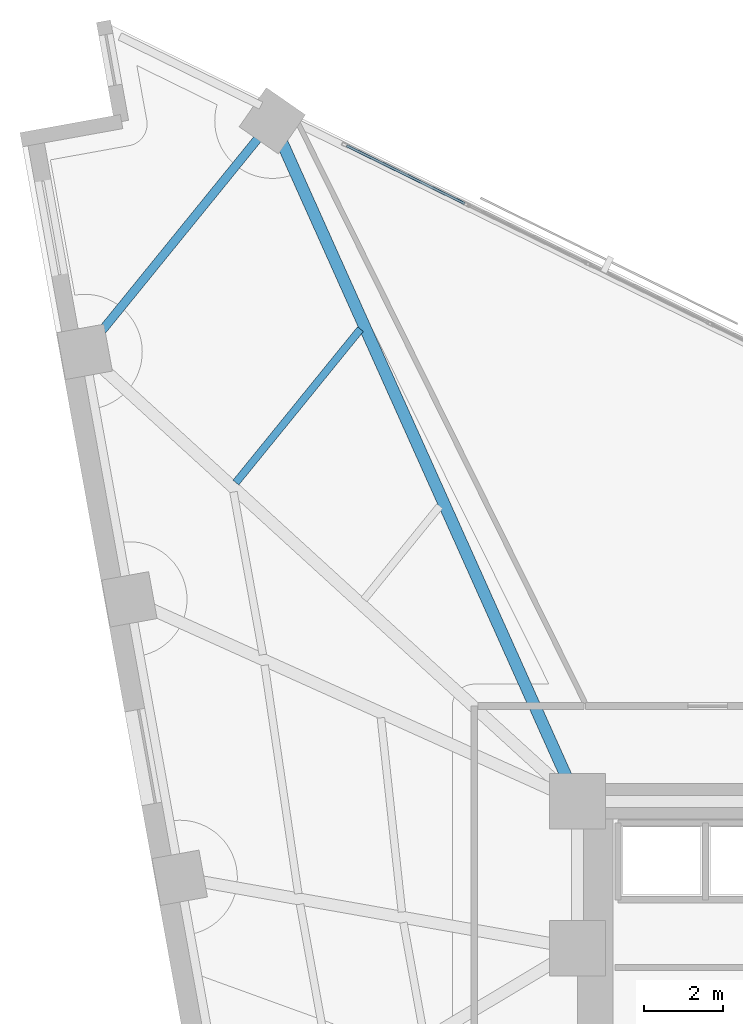
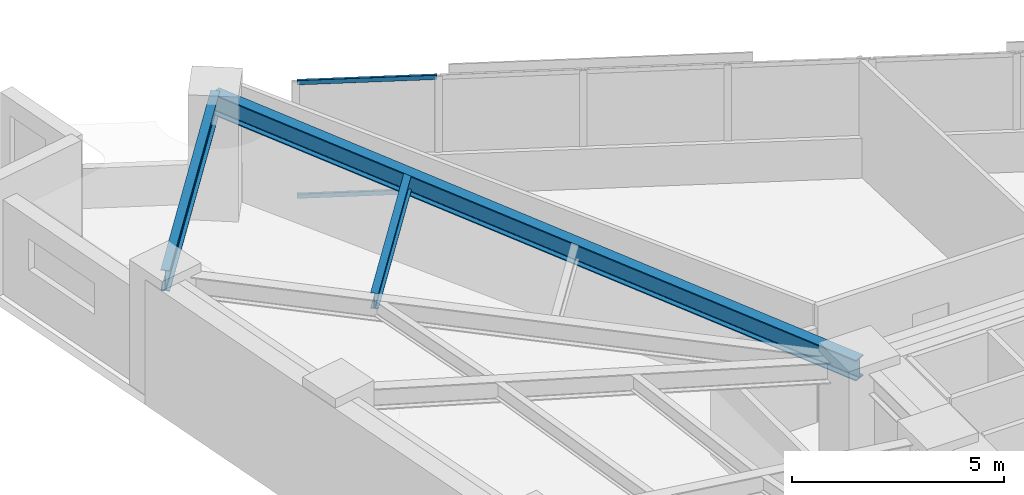
# One storey, part 9 of 18: 3 beams, 2 members, 1 element without a shape of its own.
"""IFC4 building model written with IfcOpenShell, lengths in metres."""

import ifcopenshell
import ifcopenshell.guid

model = None  # the IFC model being written
_history = None  # IfcOwnerHistory: only IFC2X3 demands one
_inside = {}  # id of a spatial element -> (the spatial element, [elements in it])
_under = {}  # id of a project, library or spatial element -> (it, [spatial elements below it])
_declared = {}  # id of a project -> (the project, [libraries it declares])
_typed = {}  # id of a type object -> (the type object, [elements of that type])
_made_of = {}  # id of a material, layer set ... -> (it, [elements and type objects made of it])


def new_model(schema):
    """Start an empty IFC model of exactly this schema.

    Asked for "IFC4X3", IfcOpenShell would pick the latest addendum, in which some entities
    have other attributes; the version numbers below select the first issue.
    IFC2X3 requires an IfcOwnerHistory on every rooted entity: one is made here for all.
    """
    global model, _history
    if schema == "IFC4X3":
        model = ifcopenshell.file(schema_version=(4, 3, 0, 0))
    else:
        model = ifcopenshell.file(schema=schema)
    _inside.clear()
    _under.clear()
    _declared.clear()
    _typed.clear()
    _made_of.clear()
    _history = None
    if model.schema == "IFC2X3":
        org = make("IfcOrganization", Name="unknown")
        user = make(
            "IfcPersonAndOrganization",
            ThePerson=make("IfcPerson", FamilyName="unknown"),
            TheOrganization=org,
        )
        app = make(
            "IfcApplication",
            ApplicationDeveloper=org,
            Version="unknown",
            ApplicationFullName="unknown",
            ApplicationIdentifier="unknown",
        )
        _history = make(
            "IfcOwnerHistory",
            OwningUser=user,
            OwningApplication=app,
            ChangeAction="ADDED",
            CreationDate=0,
        )
    return model


def make(cls, **values):
    """One entity of the class cls with the attributes given. An attribute that is None is left unset."""
    return model.create_entity(
        cls, **{name: value for name, value in values.items() if value is not None}
    )


def rooted(cls, **values):
    """An entity with a GlobalId (a new one), such as an element, a storey or a relation."""
    return make(cls, GlobalId=ifcopenshell.guid.new(), OwnerHistory=_history, **values)


def si_unit(unit_type, name, prefix=None):
    """IfcSIUnit, for example si_unit("LENGTHUNIT", "METRE", prefix="MILLI")."""
    return make("IfcSIUnit", UnitType=unit_type, Prefix=prefix, Name=name)


def assignment(units):
    """IfcUnitAssignment: the units of a project."""
    return None if units is None else make("IfcUnitAssignment", Units=units)


def point(xyz):
    """IfcCartesianPoint."""
    return None if xyz is None else make("IfcCartesianPoint", Coordinates=xyz)


def direction(xyz):
    """IfcDirection."""
    return None if xyz is None else make("IfcDirection", DirectionRatios=xyz)


def frame(location, z_axis=None, x_axis=None):
    """IfcAxis2Placement3D, a coordinate frame: its origin and axes. An axis left out is left unset."""
    return make(
        "IfcAxis2Placement3D",
        Location=point(location),
        Axis=direction(z_axis),
        RefDirection=direction(x_axis),
    )


def frame_2d(location, x_axis=None):
    """IfcAxis2Placement2D, a coordinate frame in the plane: its origin and x axis."""
    return make(
        "IfcAxis2Placement2D", Location=point(location), RefDirection=direction(x_axis)
    )


def origin():
    """The frame at (0, 0, 0) with its axes left unset."""
    return frame((0.0, 0.0, 0.0))


def origin_2d():
    """The frame at (0, 0) in the plane with its x axis left unset."""
    return frame_2d((0.0, 0.0))


def place(relative_to, where):
    """IfcLocalPlacement: puts the frame where relative to a parent placement (None: the world)."""
    return make(
        "IfcLocalPlacement", PlacementRelTo=relative_to, RelativePlacement=where
    )


def context(
    kind, dimensions, precision=None, world=None, true_north=None, identifier=None
):
    """IfcGeometricRepresentationContext, for example the 3D "Model" context."""
    return make(
        "IfcGeometricRepresentationContext",
        ContextIdentifier=identifier,
        ContextType=kind,
        CoordinateSpaceDimension=dimensions,
        Precision=precision,
        WorldCoordinateSystem=world,
        TrueNorth=true_north,
    )


def subcontext(parent, identifier, kind, view, scale=None):
    """IfcGeometricRepresentationSubContext, for example "Body" below "Model"."""
    return make(
        "IfcGeometricRepresentationSubContext",
        ContextIdentifier=identifier,
        ContextType=kind,
        ParentContext=parent,
        TargetScale=scale,
        TargetView=view,
    )


def project(units=None, contexts=None):
    """IfcProject with its units and contexts."""
    return rooted(
        "IfcProject",
        Name="project",
        RepresentationContexts=contexts,
        UnitsInContext=assignment(units),
    )


def spatial(cls, under=None, at=None, **own):
    """A site, building, storey or space (cls), placed at a placement, below another one or the project."""
    s = rooted(cls, ObjectPlacement=at, **own)
    if under is not None:
        _under.setdefault(under.id(), (under, []))[1].append(s)
    return s


def profile(cls, at=None, kind="AREA", **sizes):
    """A parametric profile (cls). Its sizes go by their IFC names, for example OverallWidth=200.0."""
    return make(cls, ProfileType=kind, Position=at, **sizes)


def hollow_rectangle(**sizes):
    """IfcRectangleHollowProfileDef."""
    return profile("IfcRectangleHollowProfileDef", **sizes)


def i_section(**sizes):
    """IfcIShapeProfileDef."""
    return profile("IfcIShapeProfileDef", **sizes)


def extrude(swept, where, along, depth):
    """IfcExtrudedAreaSolid: the profile swept, set in the frame where, extruded along a direction by depth."""
    return make(
        "IfcExtrudedAreaSolid",
        SweptArea=swept,
        Position=where,
        ExtrudedDirection=direction(along),
        Depth=depth,
    )


def shape(context_of_items, identifier, shape_type, items):
    """IfcShapeRepresentation: the items that make up one representation, for example the "Body"."""
    return make(
        "IfcShapeRepresentation",
        ContextOfItems=context_of_items,
        RepresentationIdentifier=identifier,
        RepresentationType=shape_type,
        Items=items,
    )


def material(Name=None, Category=None):
    """IfcMaterial."""
    return make("IfcMaterial", Name=Name, Category=Category)


def material_profile(
    of_material, cross_section, Name=None, Category=None, Priority=None
):
    """IfcMaterialProfile: a cross section and its material."""
    return make(
        "IfcMaterialProfile",
        Name=Name,
        Material=of_material,
        Profile=cross_section,
        Priority=Priority,
        Category=Category,
    )


def profile_set(profiles, Name=None, composite=None):
    """IfcMaterialProfileSet."""
    return make(
        "IfcMaterialProfileSet",
        Name=Name,
        MaterialProfiles=profiles,
        CompositeProfile=composite,
    )


def made_of(thing, what):
    """Note that an element or type object is made of a material, layer set ...; save() writes the relation."""
    if what is not None:
        _made_of.setdefault(what.id(), (what, []))[1].append(thing)
    return thing


def type_object(cls, material=None, **own):
    """A type object (cls), such as IfcWallType, which elements share."""
    return made_of(rooted(cls, **own), material)


def element(
    cls,
    number,
    at=None,
    inside=None,
    cuts=None,
    type_object=None,
    material=None,
    context=None,
    identifier="Body",
    shape_type=None,
    held_by="IfcProductDefinitionShape",
    body=None,
    shapes=None,
    **own,
):
    """One element of the class cls, such as IfcWall. Its Tag is "e" and its number.

    at: its placement. inside: the storey or other place that contains it. cuts: it is an
    opening in that element (IfcRelVoidsElement). A single representation is given by context,
    identifier, shape_type and body (its items); several are given by shapes. held_by: the class
    of the entity that holds the representations. save() writes the other relations.
    """
    e = rooted(cls, Tag="e%d" % number, ObjectPlacement=at, **own)
    if body is not None:
        shapes = [shape(context, identifier, shape_type, body)]
    if shapes is not None:
        e.Representation = make(held_by, Representations=shapes)
    if inside is not None:
        _inside.setdefault(inside.id(), (inside, []))[1].append(e)
    if cuts is not None:
        rooted(
            "IfcRelVoidsElement", RelatingBuildingElement=cuts, RelatedOpeningElement=e
        )
    if type_object is not None:
        _typed.setdefault(type_object.id(), (type_object, []))[1].append(e)
    return made_of(e, material)


def aggregate(whole, parts):
    """IfcRelAggregates: a whole, such as a stair, and the parts it consists of."""
    return rooted("IfcRelAggregates", RelatingObject=whole, RelatedObjects=parts)


def save(model, path):
    """Write the relations noted so far, then the file.

    IfcRelAggregates (storeys below a building ...), IfcRelContainedInSpatialStructure (elements
    in a storey), IfcRelDefinesByType, IfcRelAssociatesMaterial and IfcRelDeclares: one each for
    every whole, place, type object, material and project.
    """
    for whole, parts in _under.values():
        aggregate(whole, parts)
    for where, things in _inside.values():
        rooted(
            "IfcRelContainedInSpatialStructure",
            RelatedElements=things,
            RelatingStructure=where,
        )
    for kind, things in _typed.values():
        rooted("IfcRelDefinesByType", RelatedObjects=things, RelatingType=kind)
    for what, things in _made_of.values():
        rooted("IfcRelAssociatesMaterial", RelatedObjects=things, RelatingMaterial=what)
    for by, libraries in _declared.values():
        rooted("IfcRelDeclares", RelatingContext=by, RelatedDefinitions=libraries)
    model.write(path)


model = new_model("IFC4")

# Units and contexts
model_context = context("Model", 3, precision=1e-05, world=origin(), true_north=direction((0.0, 1.0)))
body_context = subcontext(model_context, "Body", "Model", "MODEL_VIEW")
ifc_project = project(units=[si_unit("LENGTHUNIT", "METRE"), si_unit("AREAUNIT", "SQUARE_METRE"), si_unit("VOLUMEUNIT", "CUBIC_METRE"), si_unit("PLANEANGLEUNIT", "RADIAN"), si_unit("MASSUNIT", "GRAM", prefix="KILO")], contexts=[model_context])

# Site, building, storey
site_placement = place(None, origin())
site = spatial("IfcSite", under=ifc_project, at=site_placement, CompositionType="ELEMENT")
building_placement = place(site_placement, origin())
building = spatial("IfcBuilding", under=site, at=building_placement, Name="Narakoshi Arena Tower", CompositionType="ELEMENT")
storey_placement = place(building_placement, frame((0.0, 0.0, 120.89990234375)))
storey = spatial("IfcBuildingStorey", under=building, at=storey_placement, Name="L32", CompositionType="ELEMENT", Elevation=120.89990234375)

# Beams
ifc_material_1 = material(Name="Structural steel S355J2", Category="steel")
ifc_material_profile_1 = material_profile(ifc_material_1, i_section(OverallWidth=0.219970703125, OverallDepth=0.60009765625, WebThickness=0.011962890625, FlangeThickness=0.01904296875, FilletRadius=0.02392578125, at=origin_2d()), Name="IPE600")
ifc_profile_set_1 = profile_set([ifc_material_profile_1], Name="Structural steel S355J2")
beam_type_1 = type_object("IfcBeamType", Name="BM-EDGE-600", PredefinedType="BEAM", material=ifc_profile_set_1)
beam_1_placement = place(storey_placement, frame((64.31787109375, 73.633056640625, 3.0400390625), z_axis=(-0.630427035182, -0.776248512598, 0.0), x_axis=(0.776248512598, -0.630427035182, 0.0)))
element("IfcBeam", 1, at=beam_1_placement, inside=storey, type_object=beam_type_1, Name="L32 Perimeter Edge Girder 09", PredefinedType="BEAM", context=body_context, shape_type="SweptSolid", body=[
    extrude(i_section(OverallWidth=0.219970703125, OverallDepth=0.60009765625, WebThickness=0.011962890625, FlangeThickness=0.01904296875, FilletRadius=0.02392578125, at=origin_2d()), origin(), (0.0, 0.0, 1.0), 7.493896484375),
])
ifc_material_profile_2 = material_profile(ifc_material_1, i_section(OverallWidth=0.300048828125, OverallDepth=0.60009765625, WebThickness=0.015380859375, FlangeThickness=0.030029296875, FilletRadius=0.027099609375, at=origin_2d()), Name="HE600B")
ifc_profile_set_2 = profile_set([ifc_material_profile_2], Name="Structural steel S355J2")
beam_type_2 = type_object("IfcBeamType", Name="BM-PRI-600", PredefinedType="BEAM", material=ifc_profile_set_2)
beam_2_placement = place(storey_placement, frame((72.0, 56.5, 3.0400390625), z_axis=(-0.409135423529, 0.91247367371, 0.0), x_axis=(-0.91247367371, -0.409135423529, 0.0)))
element("IfcBeam", 2, at=beam_2_placement, inside=storey, type_object=beam_type_2, Name="L32 Radial Primary Floor Girder 09", PredefinedType="BEAM", context=body_context, shape_type="SweptSolid", body=[
    extrude(i_section(OverallWidth=0.300048828125, OverallDepth=0.60009765625, WebThickness=0.015380859375, FlangeThickness=0.030029296875, FilletRadius=0.027099609375, at=origin_2d()), origin(), (0.0, 0.0, 1.0), 18.776611328125),
])
ifc_material_profile_3 = material_profile(ifc_material_1, i_section(OverallWidth=0.18994140625, OverallDepth=0.449951171875, WebThickness=0.009521484375, FlangeThickness=0.0146484375, FilletRadius=0.02099609375, at=origin_2d()), Name="IPE450")
ifc_profile_set_3 = profile_set([ifc_material_profile_3], Name="Structural steel S355J2")
beam_type_3 = type_object("IfcBeamType", Name="BM-SEC-450", PredefinedType="JOIST", material=ifc_profile_set_3)
beam_3_placement = place(storey_placement, frame((66.537353515625, 68.38818359375, 3.114990234375), z_axis=(-0.630422662324, -0.776252063977, 0.0), x_axis=(0.776252063977, -0.630422662324, 0.0)))
element("IfcBeam", 3, at=beam_3_placement, inside=storey, type_object=beam_type_3, Name="L32 Composite Secondary Floor Joist 10", PredefinedType="JOIST", context=body_context, shape_type="SweptSolid", body=[
    extrude(i_section(OverallWidth=0.18994140625, OverallDepth=0.449951171875, WebThickness=0.009521484375, FlangeThickness=0.0146484375, FilletRadius=0.02099609375, at=origin_2d()), origin(), (0.0, 0.0, 1.0), 4.9755859375),
])

# Curtain wall, members
ifc_material_2 = material(Name="Anodised bronze aluminium 6063-T6", Category="aluminium")
curtain_wall_type = type_object("IfcCurtainWallType", Name="CW-HYP-LOW", PredefinedType="NOTDEFINED", material=ifc_material_2)
curtain_wall_placement = place(storey_placement, origin())
curtain_wall = element("IfcCurtainWall", 4, at=curtain_wall_placement, inside=storey, type_object=curtain_wall_type, Name="L32 Folded Hypotenuse Curtain Wall 2-1", PredefinedType="NOTDEFINED")
ifc_material_profile_4 = material_profile(ifc_material_2, hollow_rectangle(XDim=0.06494140625, YDim=0.1298828125, WallThickness=0.00390625, OuterFilletRadius=0.0048828125, at=origin_2d()), Name="TRN130x65x4")
ifc_profile_set_4 = profile_set([ifc_material_profile_4], Name="Anodised bronze aluminium 6063-T6")
member_type = type_object("IfcMemberType", Name="MEM-TRN-130", PredefinedType="USERDEFINED", material=ifc_profile_set_4)
member_1_placement = place(storey_placement, frame((69.1591796875, 71.55029296875, 0.03271484375), z_axis=(-0.898012158644, 0.439970638711, 0.0), x_axis=(-0.439970638711, -0.898012158644, 0.0)))
member_1 = element("IfcMember", 5, at=member_1_placement, type_object=member_type, Name="CW-01 transom 7.1", ObjectType="TRANSOM", PredefinedType="USERDEFINED", context=body_context, shape_type="SweptSolid", body=[
    extrude(hollow_rectangle(XDim=0.06494140625, YDim=0.1298828125, WallThickness=0.00390625, OuterFilletRadius=0.0048828125, at=origin_2d()), origin(), (0.0, 0.0, 1.0), 3.31005859375),
])
member_2_placement = place(storey_placement, frame((69.1591796875, 71.55029296875, 3.3076171875), z_axis=(-0.898012158644, 0.439970638711, 0.0), x_axis=(-0.439970638711, -0.898012158644, 0.0)))
member_2 = element("IfcMember", 6, at=member_2_placement, type_object=member_type, Name="CW-01 transom 7.2", ObjectType="TRANSOM", PredefinedType="USERDEFINED", context=body_context, shape_type="SweptSolid", body=[
    extrude(hollow_rectangle(XDim=0.06494140625, YDim=0.1298828125, WallThickness=0.00390625, OuterFilletRadius=0.0048828125, at=origin_2d()), origin(), (0.0, 0.0, 1.0), 3.31005859375),
])
aggregate(curtain_wall, [member_1, member_2])

save(model, "model.ifc")
